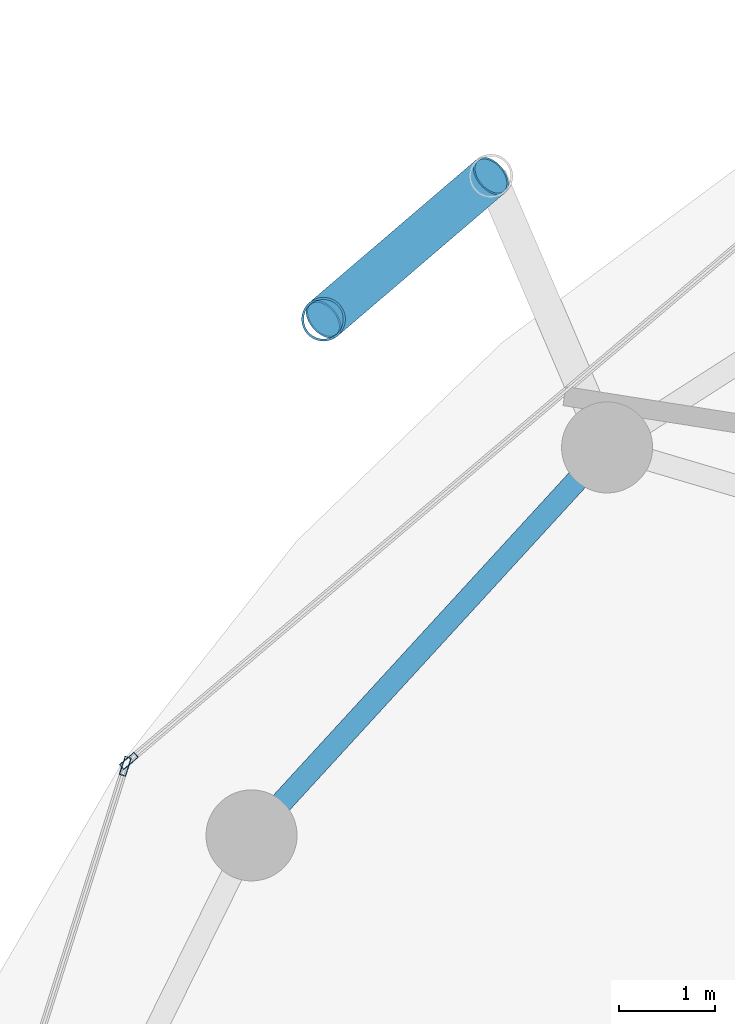
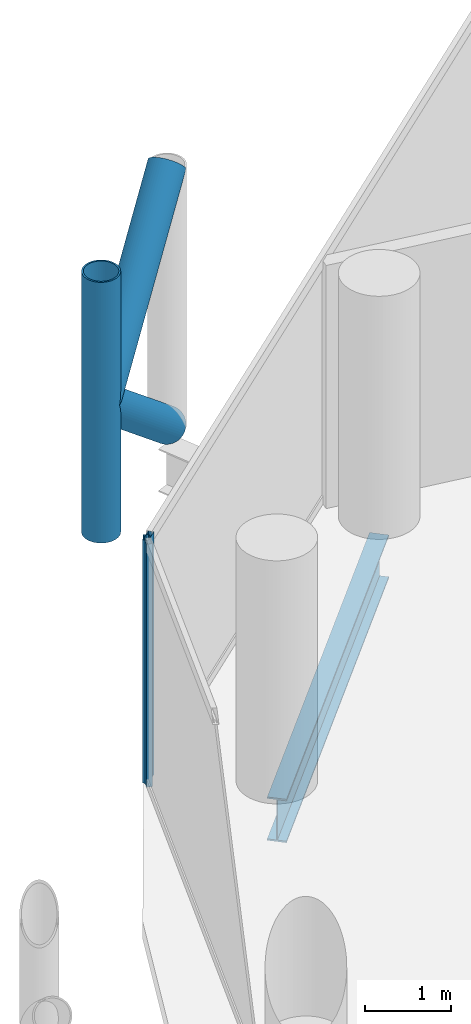
# One storey, part 13 of 26: 5 members, 1 beam, 2 elements without a shape of their own.
"""IFC4 building model written with IfcOpenShell, lengths in metres."""

from ifc_helpers import new_model, si_unit, direction, frame, origin, origin_2d, place, context, subcontext, project, spatial, hollow_rectangle, hollow_circle, i_section, extrude, material, layer, layer_set, material_profile, profile_set, type_object, element, aggregate, save


model = new_model("IFC4")

# Units and contexts
model_context = context("Model", 3, precision=1e-05, world=origin(), true_north=direction((0.0, 1.0)))
body_context = subcontext(model_context, "Body", "Model", "MODEL_VIEW")
ifc_project = project(units=[si_unit("LENGTHUNIT", "METRE"), si_unit("AREAUNIT", "SQUARE_METRE"), si_unit("VOLUMEUNIT", "CUBIC_METRE"), si_unit("PLANEANGLEUNIT", "RADIAN"), si_unit("MASSUNIT", "GRAM", prefix="KILO")], contexts=[model_context])

# Site, building, storey
site_placement = place(None, origin())
site = spatial("IfcSite", under=ifc_project, at=site_placement, CompositionType="ELEMENT")
building_placement = place(site_placement, origin())
building = spatial("IfcBuilding", under=site, at=building_placement, Name="Nuhasar Tower", CompositionType="ELEMENT")
storey_placement = place(building_placement, frame((0.0, 0.0, 147.85009765625)))
storey = spatial("IfcBuildingStorey", under=building, at=storey_placement, Name="L35", CompositionType="ELEMENT", Elevation=147.85009765625)

# Beam
ifc_material_1 = material(Name="Steel S355", Category="steel")
ifc_material_profile_1 = material_profile(ifc_material_1, i_section(OverallWidth=0.22998046875, OverallDepth=0.616943359375, WebThickness=0.01318359375, FlangeThickness=0.022216796875, at=origin_2d()), Name="W24X94")
ifc_profile_set_1 = profile_set([ifc_material_profile_1], Name="Steel S355")
beam_type = type_object("IfcBeamType", Name="BM-RING-W24X94", PredefinedType="SPANDREL", material=ifc_profile_set_1)
beam_placement = place(storey_placement, frame((22.489013671875, 40.6240234375, -0.55908203125), z_axis=(-0.675654174897, -0.737218716491, 0.0), x_axis=(0.737218716491, -0.675654174897, 0.0)))
element("IfcBeam", 1, at=beam_placement, inside=storey, type_object=beam_type, Name="L35 Perimeter Ring Spandrel 10", PredefinedType="SPANDREL", context=body_context, shape_type="SweptSolid", body=[
    extrude(i_section(OverallWidth=0.22998046875, OverallDepth=0.616943359375, WebThickness=0.01318359375, FlangeThickness=0.022216796875, at=origin_2d()), origin(), (0.0, 0.0, 1.0), 5.492431640625),
])

# Curtain wall, member
ifc_material_2 = material(Name="Aluminium 6063-T6", Category="aluminium")
ifc_layer = layer(ifc_material_2, 0.199951171875)
ifc_layer_set = layer_set([ifc_layer], Name="Aluminium 6063-T6")
curtain_wall_type = type_object("IfcCurtainWallType", Name="CW-Z2-HTL", PredefinedType="NOTDEFINED", material=ifc_layer_set)
curtain_wall_1_placement = place(storey_placement, origin())
curtain_wall_1 = element("IfcCurtainWall", 2, at=curtain_wall_1_placement, inside=storey, type_object=curtain_wall_type, Name="L35 Unitised Curtain Wall 05", PredefinedType="NOTDEFINED")
ifc_material_profile_2 = material_profile(ifc_material_2, hollow_rectangle(XDim=0.070068359375, YDim=0.199951171875, WallThickness=0.0048828125, at=origin_2d()), Name="CWM-3")
ifc_profile_set_2 = profile_set([ifc_material_profile_2], Name="Aluminium 6063-T6")
member_type_1 = type_object("IfcMemberType", Name="CW-MUL-S3", PredefinedType="MULLION", material=ifc_profile_set_2)
member_1_placement = place(storey_placement, frame((17.497802734375, 37.3525390625, 0.0), z_axis=(0.0, 0.0, 1.0), x_axis=(0.646374438324, -0.763020370292, 0.0)))
member_1 = element("IfcMember", 3, at=member_1_placement, type_object=member_type_1, Name="CW-Z2 mullion 2", PredefinedType="MULLION", context=body_context, shape_type="SweptSolid", body=[
    extrude(hollow_rectangle(XDim=0.070068359375, YDim=0.199951171875, WallThickness=0.0048828125, at=origin_2d()), origin(), (0.0, 0.0, 1.0), 3.449951171875),
])
aggregate(curtain_wall_1, [member_1])

curtain_wall_2_placement = place(storey_placement, origin())
curtain_wall_2 = element("IfcCurtainWall", 4, at=curtain_wall_2_placement, inside=storey, type_object=curtain_wall_type, Name="L35 Unitised Curtain Wall 06", PredefinedType="NOTDEFINED")
member_2_placement = place(storey_placement, frame((17.46044921875, 37.296630859375, 0.0), z_axis=(0.0, 0.0, 1.0), x_axis=(0.953433389233, -0.301603667577, 0.0)))
member_2 = element("IfcMember", 5, at=member_2_placement, type_object=member_type_1, Name="CW-Z2 mullion 1", PredefinedType="MULLION", context=body_context, shape_type="SweptSolid", body=[
    extrude(hollow_rectangle(XDim=0.070068359375, YDim=0.199951171875, WallThickness=0.0048828125, at=origin_2d()), origin(), (0.0, 0.0, 1.0), 3.449951171875),
])
aggregate(curtain_wall_2, [member_2])

# Members
ifc_material_3 = material(Name="Steel S460", Category="steel")
ifc_material_profile_3 = material_profile(ifc_material_3, hollow_circle(Radius=0.228515625, WallThickness=0.022216796875, at=origin_2d()), Name="HSS457X22.2")
ifc_profile_set_3 = profile_set([ifc_material_profile_3], Name="Steel S460")
member_type_2 = type_object("IfcMemberType", Name="EXO-BRONZE-457", PredefinedType="BRACE", material=ifc_profile_set_3)
member_3_placement = place(storey_placement, frame((19.529052734375, 41.9619140625, 0.0), z_axis=(0.0, 0.0, 1.0), x_axis=(1.0, 0.0, 0.0)))
element("IfcMember", 6, at=member_3_placement, inside=storey, type_object=member_type_2, Name="L35 Exoskeleton Chord Column EC-05B", PredefinedType="BRACE", context=body_context, shape_type="SweptSolid", body=[
    extrude(hollow_circle(Radius=0.228515625, WallThickness=0.022216796875, at=origin_2d()), origin(), (0.0, 0.0, 1.0), 3.699951171875),
])
member_4_placement = place(storey_placement, frame((21.277099609375, 43.45703125, 0.0), z_axis=(-0.592201065785, -0.506513872468, 0.626690988192), x_axis=(0.649986859795, -0.759945446788, 0.0)))
element("IfcMember", 7, at=member_4_placement, inside=storey, type_object=member_type_2, Name="L35 Bronze Diagrid Brace W1-05", PredefinedType="BRACE", context=body_context, shape_type="SweptSolid", body=[
    extrude(hollow_circle(Radius=0.228515625, WallThickness=0.022216796875, at=origin_2d()), origin(), (0.0, 0.0, 1.0), 2.95166015625),
])
member_5_placement = place(storey_placement, frame((19.529052734375, 41.9619140625, 1.849853515625), z_axis=(0.592170370358, 0.506487618445, 0.626741210415), x_axis=(-0.649986859795, 0.759945446788, 0.0)))
element("IfcMember", 8, at=member_5_placement, inside=storey, type_object=member_type_2, Name="L35 Bronze Diagrid Brace W2-05", PredefinedType="BRACE", context=body_context, shape_type="SweptSolid", body=[
    extrude(hollow_circle(Radius=0.228515625, WallThickness=0.022216796875, at=origin_2d()), origin(), (0.0, 0.0, 1.0), 2.951904296875),
])

save(model, "model.ifc")
